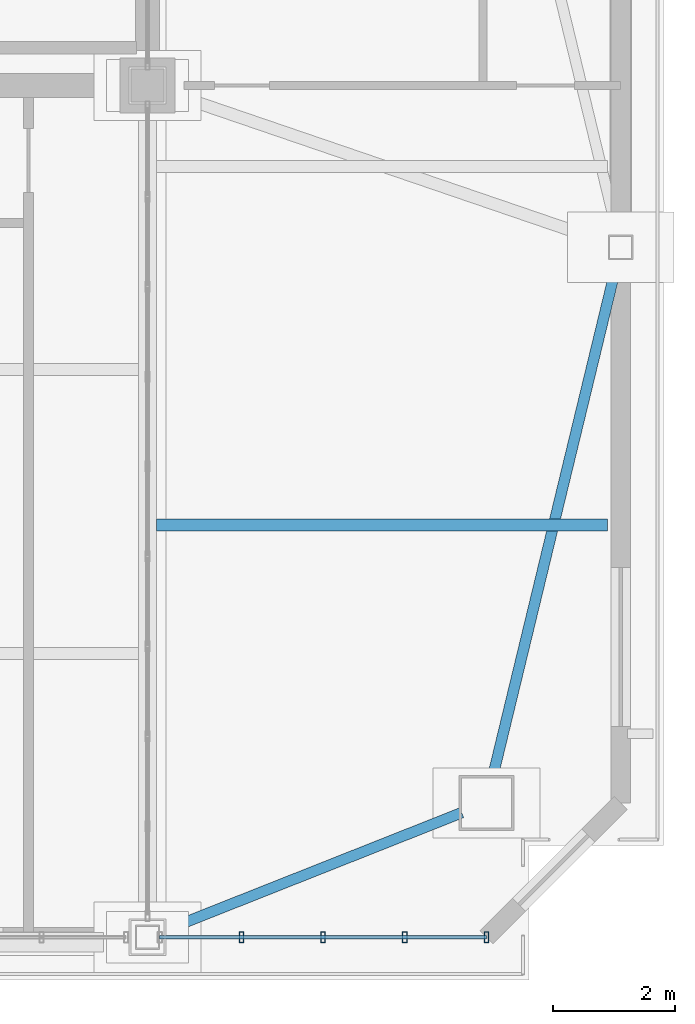
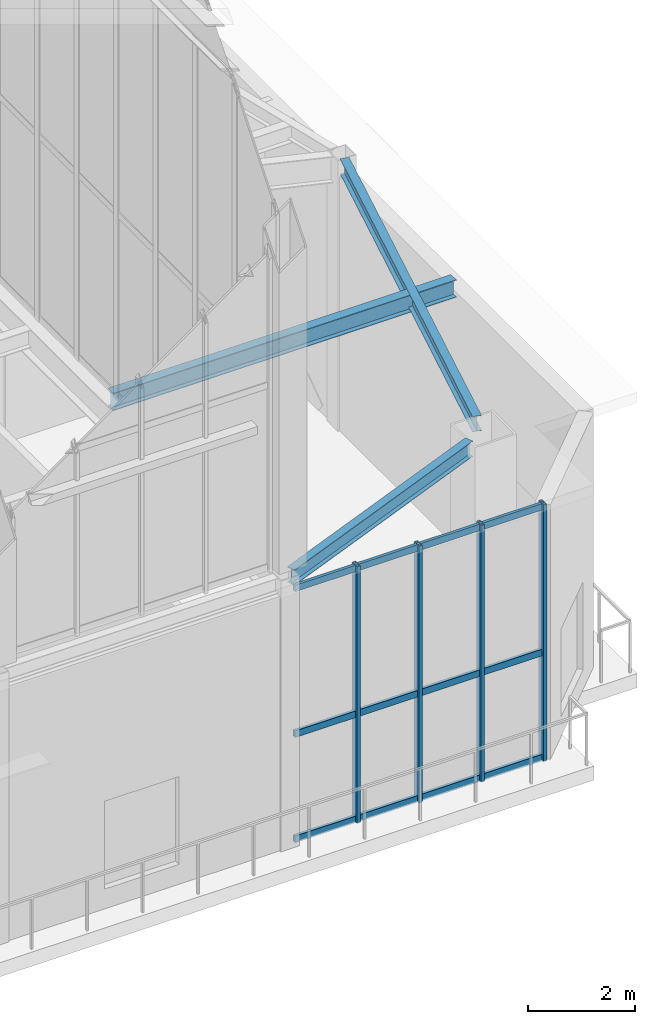
# One storey, part 61 of 135: 7 members, 3 beams, 1 element without a shape of its own.
"""IFC4 building model written with IfcOpenShell, lengths in metres."""

from ifc_helpers import new_model, si_unit, direction, frame, origin, origin_2d, place, context, subcontext, project, spatial, hollow_rectangle, i_section, extrude, source, transform, mapped, material, layer, layer_set, material_profile, profile_set, type_object, element, aggregate, save


model = new_model("IFC4")

# Units and contexts
model_context = context("Model", 3, precision=1e-05, world=origin(), true_north=direction((0.0, 1.0)))
body_context = subcontext(model_context, "Body", "Model", "MODEL_VIEW")
ifc_project = project(units=[si_unit("LENGTHUNIT", "METRE"), si_unit("AREAUNIT", "SQUARE_METRE"), si_unit("VOLUMEUNIT", "CUBIC_METRE"), si_unit("PLANEANGLEUNIT", "RADIAN"), si_unit("MASSUNIT", "GRAM", prefix="KILO")], contexts=[model_context])

# Site, building, storey
site_placement = place(None, origin())
site = spatial("IfcSite", under=ifc_project, at=site_placement, CompositionType="ELEMENT")
building_placement = place(site_placement, origin())
building = spatial("IfcBuilding", under=site, at=building_placement, Name="Giltprow Tower", CompositionType="ELEMENT")
storey_placement = place(building_placement, frame((0.0, 0.0, 352.699951171875)))
storey = spatial("IfcBuildingStorey", under=building, at=storey_placement, Name="L92", CompositionType="ELEMENT", Elevation=352.699951171875)

# Beams
ifc_material_1 = material(Name="Structural steel Q355B", Category="steel")
ifc_material_profile_1 = material_profile(ifc_material_1, i_section(OverallWidth=0.175048828125, OverallDepth=0.35009765625, WebThickness=0.007080078125, FlangeThickness=0.010986328125, at=origin_2d()), Name="HN 350x175x7x11")
ifc_profile_set_1 = profile_set([ifc_material_profile_1], Name="Structural steel Q355B")
beam_type_1 = type_object("IfcBeamType", Name="BM-SPAN-HN350", PredefinedType="SPANDREL", material=ifc_profile_set_1)
shared_shape_1 = source(origin(), body_context, "Body", "SweptSolid", [
    extrude(i_section(OverallWidth=0.175048828125, OverallDepth=0.35009765625, WebThickness=0.007080078125, FlangeThickness=0.010986328125, at=origin_2d()), origin(), (0.0, 0.0, 1.0), 5.350830078125),
])
beam_1_placement = place(storey_placement, frame((50.721923828125, 23.568115234375, 5.985107421875), z_axis=(0.929614560118, 0.368533267992, 0.0), x_axis=(-0.368533267992, 0.929614560118, 0.0)))
element("IfcBeam", 1, at=beam_1_placement, inside=storey, type_object=beam_type_1, Name="L92 Perimeter Spandrel Beam S4-MC_SE", PredefinedType="SPANDREL", context=body_context, shape_type="MappedRepresentation", body=[
    mapped(shared_shape_1, transform((0.0, 0.0, 0.0), x_axis=(1.0, 0.0, 0.0), y_axis=(0.0, 1.0, 0.0), z_axis=(0.0, 0.0, 1.0), scale=1.0)),
])
shared_shape_2 = source(origin(), body_context, "Body", "SweptSolid", [
    extrude(i_section(OverallWidth=0.175048828125, OverallDepth=0.35009765625, WebThickness=0.007080078125, FlangeThickness=0.010986328125, at=origin_2d()), origin(), (0.0, 0.0, 1.0), 8.7421875),
])
beam_2_placement = place(storey_placement, frame((56.201904296875, 26.123046875, 5.985107421875), z_axis=(0.235090039637, 0.971973596999, 0.0), x_axis=(-0.971973596999, 0.235090039637, 0.0)))
element("IfcBeam", 2, at=beam_2_placement, inside=storey, type_object=beam_type_1, Name="L92 Perimeter Spandrel Beam MC_SE-E_MID", PredefinedType="SPANDREL", context=body_context, shape_type="MappedRepresentation", body=[
    mapped(shared_shape_2, transform((0.0, 0.0, 0.0), x_axis=(1.0, 0.0, 0.0), y_axis=(0.0, 1.0, 0.0), z_axis=(0.0, 0.0, 1.0), scale=1.0)),
])
ifc_material_profile_2 = material_profile(ifc_material_1, i_section(OverallWidth=0.199951171875, OverallDepth=0.39990234375, WebThickness=0.008056640625, FlangeThickness=0.012939453125, at=origin_2d()), Name="HN 400x200x8x13")
ifc_profile_set_2 = profile_set([ifc_material_profile_2], Name="Structural steel Q355B")
beam_type_2 = type_object("IfcBeamType", Name="BM-JOIST-HN400", PredefinedType="JOIST", material=ifc_profile_set_2)
shared_shape_3 = source(origin(), body_context, "Body", "SweptSolid", [
    extrude(i_section(OverallWidth=0.199951171875, OverallDepth=0.39990234375, WebThickness=0.008056640625, FlangeThickness=0.012939453125, at=origin_2d()), origin(), (0.0, 0.0, 1.0), 7.385009765625),
])
beam_3_placement = place(storey_placement, frame((50.695068359375, 30.25, 5.9599609375), z_axis=(1.0, 0.0, 0.0), x_axis=(0.0, 1.0, 0.0)))
element("IfcBeam", 3, at=beam_3_placement, inside=storey, type_object=beam_type_2, Name="L92 East Wing Floor Joist 1", PredefinedType="JOIST", context=body_context, shape_type="MappedRepresentation", body=[
    mapped(shared_shape_3, transform((0.0, 0.0, 0.0), x_axis=(1.0, 0.0, 0.0), y_axis=(0.0, 1.0, 0.0), z_axis=(0.0, 0.0, 1.0), scale=1.0)),
])

# Curtain wall, members
ifc_material_2 = material(Name="Anodized bronze", Category="metal")
ifc_layer = layer(ifc_material_2, 0.179931640625, Name="Anodized bronze")
ifc_layer_set = layer_set([ifc_layer], Name="Anodized bronze")
curtain_wall_type = type_object("IfcCurtainWallType", Name="CW-CROWN-LANTERN", PredefinedType="NOTDEFINED", material=ifc_layer_set)
curtain_wall_placement = place(storey_placement, origin())
curtain_wall = element("IfcCurtainWall", 4, at=curtain_wall_placement, inside=storey, type_object=curtain_wall_type, Name="L92 South Recessed Curtain Wall 6", PredefinedType="NOTDEFINED")
ifc_material_profile_3 = material_profile(ifc_material_2, hollow_rectangle(XDim=0.06494140625, YDim=0.14990234375, WallThickness=0.006103515625, at=origin_2d()), Name="RHS 150x65x6")
ifc_profile_set_3 = profile_set([ifc_material_profile_3], Name="Anodized bronze")
member_type_1 = type_object("IfcMemberType", Name="CW-TRANSOM-150x65", PredefinedType="USERDEFINED", material=ifc_profile_set_3)
shared_shape_4 = source(origin(), body_context, "Body", "SweptSolid", [
    extrude(hollow_rectangle(XDim=0.06494140625, YDim=0.14990234375, WallThickness=0.006103515625, at=origin_2d()), origin(), (0.0, 0.0, 1.0), 5.35009765625),
])
member_1_placement = place(storey_placement, frame((50.75, 23.5, 0.0400390625), z_axis=(1.0, 0.0, 0.0), x_axis=(0.0, 1.0, 0.0)))
member_1 = element("IfcMember", 5, at=member_1_placement, type_object=member_type_1, Name="L92 South Recessed Curtain Wall 6 Transom 1", ObjectType="TRANSOM", PredefinedType="USERDEFINED", context=body_context, shape_type="MappedRepresentation", body=[
    mapped(shared_shape_4, transform((0.0, 0.0, 0.0), x_axis=(1.0, 0.0, 0.0), y_axis=(0.0, 1.0, 0.0), z_axis=(0.0, 0.0, 1.0), scale=1.0)),
])
member_2_placement = place(storey_placement, frame((50.75, 23.5, 2.43212890625), z_axis=(1.0, 0.0, 0.0), x_axis=(0.0, 1.0, 0.0)))
member_2 = element("IfcMember", 6, at=member_2_placement, type_object=member_type_1, Name="L92 South Recessed Curtain Wall 6 Transom 2", ObjectType="TRANSOM", PredefinedType="USERDEFINED", context=body_context, shape_type="MappedRepresentation", body=[
    mapped(shared_shape_4, transform((0.0, 0.0, 0.0), x_axis=(1.0, 0.0, 0.0), y_axis=(0.0, 1.0, 0.0), z_axis=(0.0, 0.0, 1.0), scale=1.0)),
])
member_3_placement = place(storey_placement, frame((50.75, 23.5, 5.75), z_axis=(1.0, 0.0, 0.0), x_axis=(0.0, 1.0, 0.0)))
member_3 = element("IfcMember", 7, at=member_3_placement, type_object=member_type_1, Name="L92 South Recessed Curtain Wall 6 Transom 3", ObjectType="TRANSOM", PredefinedType="USERDEFINED", context=body_context, shape_type="MappedRepresentation", body=[
    mapped(shared_shape_4, transform((0.0, 0.0, 0.0), x_axis=(1.0, 0.0, 0.0), y_axis=(0.0, 1.0, 0.0), z_axis=(0.0, 0.0, 1.0), scale=1.0)),
])
ifc_material_profile_4 = material_profile(ifc_material_2, hollow_rectangle(XDim=0.074951171875, YDim=0.179931640625, WallThickness=0.008056640625, at=origin_2d()), Name="RHS 180x75x8")
ifc_profile_set_4 = profile_set([ifc_material_profile_4], Name="Anodized bronze")
member_type_2 = type_object("IfcMemberType", Name="CW-MULLION-180x75", PredefinedType="MULLION", material=ifc_profile_set_4)
shared_shape_5 = source(origin(), body_context, "Body", "SweptSolid", [
    extrude(hollow_rectangle(XDim=0.074951171875, YDim=0.179931640625, WallThickness=0.008056640625, at=origin_2d()), origin(), (0.0, 0.0, 1.0), 5.844970703125),
])
member_4_placement = place(storey_placement, frame((52.0869140625, 23.5, -0.02001953125), z_axis=(0.0, 0.0, 1.0), x_axis=(1.0, 0.0, 0.0)))
member_4 = element("IfcMember", 8, at=member_4_placement, type_object=member_type_2, Name="L92 South Recessed Curtain Wall 6 Mullion 2", PredefinedType="MULLION", context=body_context, shape_type="MappedRepresentation", body=[
    mapped(shared_shape_5, transform((0.0, 0.0, 0.0), x_axis=(1.0, 0.0, 0.0), y_axis=(0.0, 1.0, 0.0), z_axis=(0.0, 0.0, 1.0), scale=1.0)),
])
member_5_placement = place(storey_placement, frame((53.425048828125, 23.5, -0.02001953125), z_axis=(0.0, 0.0, 1.0), x_axis=(1.0, 0.0, 0.0)))
member_5 = element("IfcMember", 9, at=member_5_placement, type_object=member_type_2, Name="L92 South Recessed Curtain Wall 6 Mullion 3", PredefinedType="MULLION", context=body_context, shape_type="MappedRepresentation", body=[
    mapped(shared_shape_5, transform((0.0, 0.0, 0.0), x_axis=(1.0, 0.0, 0.0), y_axis=(0.0, 1.0, 0.0), z_axis=(0.0, 0.0, 1.0), scale=1.0)),
])
member_6_placement = place(storey_placement, frame((54.762939453125, 23.5, -0.02001953125), z_axis=(0.0, 0.0, 1.0), x_axis=(1.0, 0.0, 0.0)))
member_6 = element("IfcMember", 10, at=member_6_placement, type_object=member_type_2, Name="L92 South Recessed Curtain Wall 6 Mullion 4", PredefinedType="MULLION", context=body_context, shape_type="MappedRepresentation", body=[
    mapped(shared_shape_5, transform((0.0, 0.0, 0.0), x_axis=(1.0, 0.0, 0.0), y_axis=(0.0, 1.0, 0.0), z_axis=(0.0, 0.0, 1.0), scale=1.0)),
])
member_7_placement = place(storey_placement, frame((56.10009765625, 23.5, -0.02001953125), z_axis=(0.0, 0.0, 1.0), x_axis=(1.0, 0.0, 0.0)))
member_7 = element("IfcMember", 11, at=member_7_placement, type_object=member_type_2, Name="L92 South Recessed Curtain Wall 6 Mullion 5", PredefinedType="MULLION", context=body_context, shape_type="MappedRepresentation", body=[
    mapped(shared_shape_5, transform((0.0, 0.0, 0.0), x_axis=(1.0, 0.0, 0.0), y_axis=(0.0, 1.0, 0.0), z_axis=(0.0, 0.0, 1.0), scale=1.0)),
])
aggregate(curtain_wall, [member_4, member_5, member_6, member_7, member_1, member_2, member_3])

save(model, "model.ifc")
